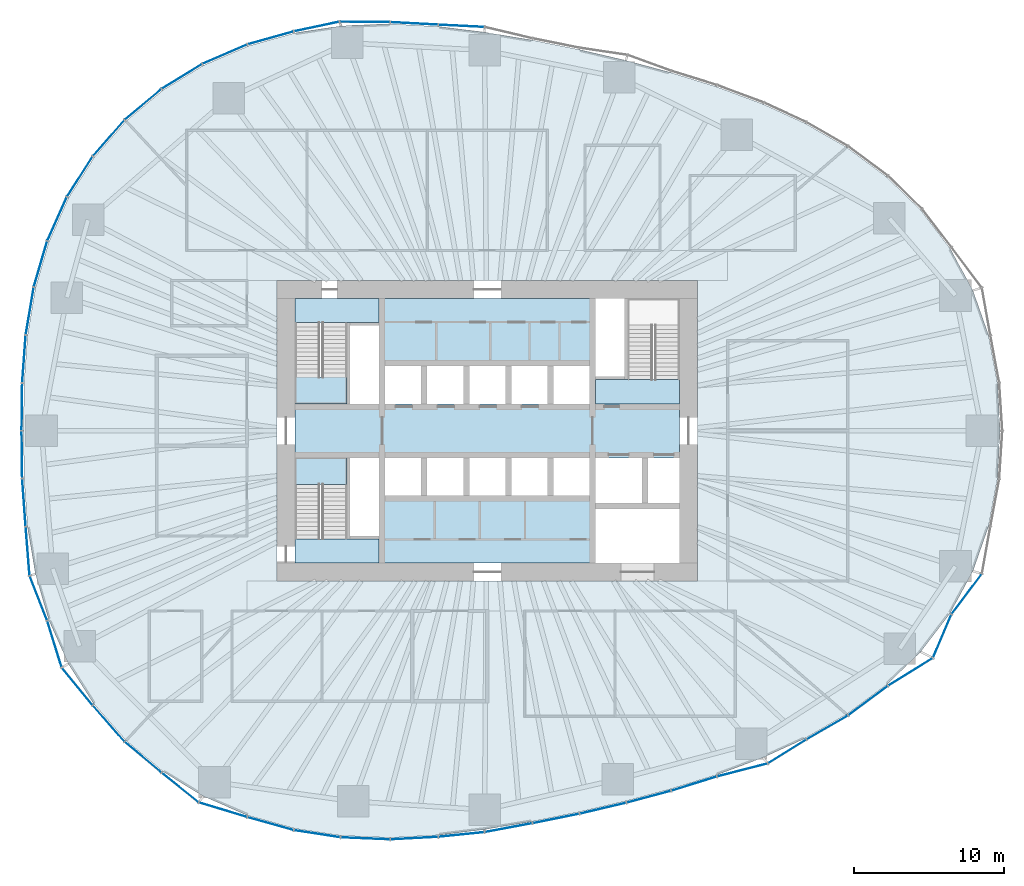
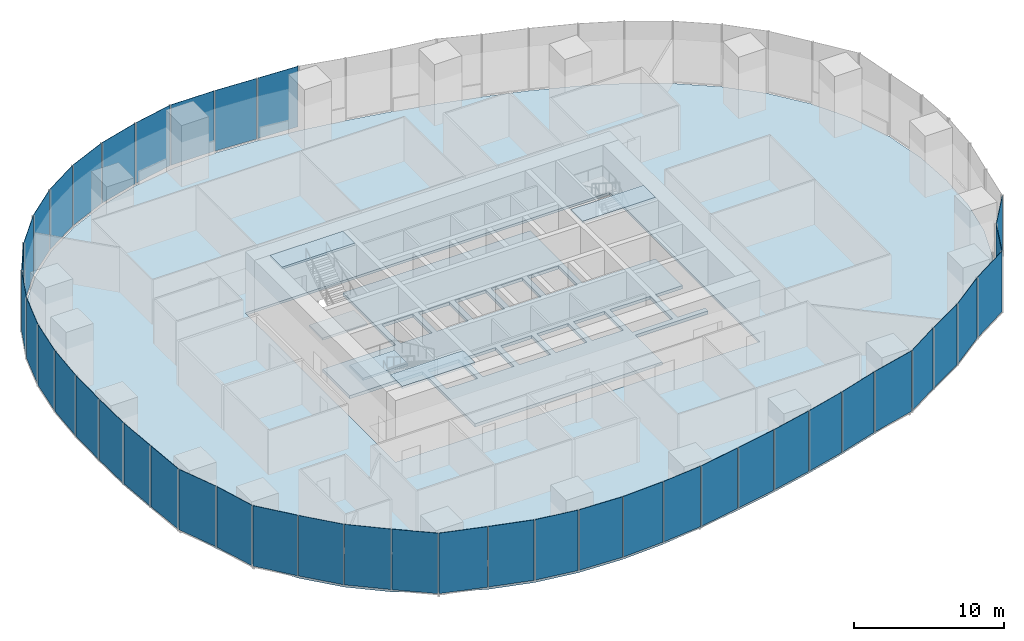
# One storey, part 8 of 20: 42 plates, 7 slabs, 17 elements without a shape of their own.
"""IFC4 building model written with IfcOpenShell, lengths in metres."""

import ifcopenshell
import ifcopenshell.guid

model = None  # the IFC model being written
_history = None  # IfcOwnerHistory: only IFC2X3 demands one
_inside = {}  # id of a spatial element -> (the spatial element, [elements in it])
_under = {}  # id of a project, library or spatial element -> (it, [spatial elements below it])
_declared = {}  # id of a project -> (the project, [libraries it declares])
_typed = {}  # id of a type object -> (the type object, [elements of that type])
_made_of = {}  # id of a material, layer set ... -> (it, [elements and type objects made of it])


def new_model(schema):
    """Start an empty IFC model of exactly this schema.

    Asked for "IFC4X3", IfcOpenShell would pick the latest addendum, in which some entities
    have other attributes; the version numbers below select the first issue.
    IFC2X3 requires an IfcOwnerHistory on every rooted entity: one is made here for all.
    """
    global model, _history
    if schema == "IFC4X3":
        model = ifcopenshell.file(schema_version=(4, 3, 0, 0))
    else:
        model = ifcopenshell.file(schema=schema)
    _inside.clear()
    _under.clear()
    _declared.clear()
    _typed.clear()
    _made_of.clear()
    _history = None
    if model.schema == "IFC2X3":
        org = make("IfcOrganization", Name="unknown")
        user = make(
            "IfcPersonAndOrganization",
            ThePerson=make("IfcPerson", FamilyName="unknown"),
            TheOrganization=org,
        )
        app = make(
            "IfcApplication",
            ApplicationDeveloper=org,
            Version="unknown",
            ApplicationFullName="unknown",
            ApplicationIdentifier="unknown",
        )
        _history = make(
            "IfcOwnerHistory",
            OwningUser=user,
            OwningApplication=app,
            ChangeAction="ADDED",
            CreationDate=0,
        )
    return model


def make(cls, **values):
    """One entity of the class cls with the attributes given. An attribute that is None is left unset."""
    return model.create_entity(
        cls, **{name: value for name, value in values.items() if value is not None}
    )


def rooted(cls, **values):
    """An entity with a GlobalId (a new one), such as an element, a storey or a relation."""
    return make(cls, GlobalId=ifcopenshell.guid.new(), OwnerHistory=_history, **values)


def si_unit(unit_type, name, prefix=None):
    """IfcSIUnit, for example si_unit("LENGTHUNIT", "METRE", prefix="MILLI")."""
    return make("IfcSIUnit", UnitType=unit_type, Prefix=prefix, Name=name)


def assignment(units):
    """IfcUnitAssignment: the units of a project."""
    return None if units is None else make("IfcUnitAssignment", Units=units)


def point(xyz):
    """IfcCartesianPoint."""
    return None if xyz is None else make("IfcCartesianPoint", Coordinates=xyz)


def direction(xyz):
    """IfcDirection."""
    return None if xyz is None else make("IfcDirection", DirectionRatios=xyz)


def frame(location, z_axis=None, x_axis=None):
    """IfcAxis2Placement3D, a coordinate frame: its origin and axes. An axis left out is left unset."""
    return make(
        "IfcAxis2Placement3D",
        Location=point(location),
        Axis=direction(z_axis),
        RefDirection=direction(x_axis),
    )


def frame_2d(location, x_axis=None):
    """IfcAxis2Placement2D, a coordinate frame in the plane: its origin and x axis."""
    return make(
        "IfcAxis2Placement2D", Location=point(location), RefDirection=direction(x_axis)
    )


def origin():
    """The frame at (0, 0, 0) with its axes left unset."""
    return frame((0.0, 0.0, 0.0))


def origin_2d():
    """The frame at (0, 0) in the plane with its x axis left unset."""
    return frame_2d((0.0, 0.0))


def place(relative_to, where):
    """IfcLocalPlacement: puts the frame where relative to a parent placement (None: the world)."""
    return make(
        "IfcLocalPlacement", PlacementRelTo=relative_to, RelativePlacement=where
    )


def context(
    kind, dimensions, precision=None, world=None, true_north=None, identifier=None
):
    """IfcGeometricRepresentationContext, for example the 3D "Model" context."""
    return make(
        "IfcGeometricRepresentationContext",
        ContextIdentifier=identifier,
        ContextType=kind,
        CoordinateSpaceDimension=dimensions,
        Precision=precision,
        WorldCoordinateSystem=world,
        TrueNorth=true_north,
    )


def subcontext(parent, identifier, kind, view, scale=None):
    """IfcGeometricRepresentationSubContext, for example "Body" below "Model"."""
    return make(
        "IfcGeometricRepresentationSubContext",
        ContextIdentifier=identifier,
        ContextType=kind,
        ParentContext=parent,
        TargetScale=scale,
        TargetView=view,
    )


def project(units=None, contexts=None):
    """IfcProject with its units and contexts."""
    return rooted(
        "IfcProject",
        Name="project",
        RepresentationContexts=contexts,
        UnitsInContext=assignment(units),
    )


def spatial(cls, under=None, at=None, **own):
    """A site, building, storey or space (cls), placed at a placement, below another one or the project."""
    s = rooted(cls, ObjectPlacement=at, **own)
    if under is not None:
        _under.setdefault(under.id(), (under, []))[1].append(s)
    return s


def polyline(points):
    """IfcPolyline through the points."""
    return make("IfcPolyline", Points=[point(p) for p in points])


def profile(cls, at=None, kind="AREA", **sizes):
    """A parametric profile (cls). Its sizes go by their IFC names, for example OverallWidth=200.0."""
    return make(cls, ProfileType=kind, Position=at, **sizes)


def rectangle(**sizes):
    """IfcRectangleProfileDef."""
    return profile("IfcRectangleProfileDef", **sizes)


def outline(outer, holes=None, kind="AREA"):
    """IfcArbitraryClosedProfileDef: a profile drawn as a closed curve; with holes, ...WithVoids."""
    if holes is None:
        return make("IfcArbitraryClosedProfileDef", ProfileType=kind, OuterCurve=outer)
    return make(
        "IfcArbitraryProfileDefWithVoids",
        ProfileType=kind,
        OuterCurve=outer,
        InnerCurves=holes,
    )


def extrude(swept, where, along, depth):
    """IfcExtrudedAreaSolid: the profile swept, set in the frame where, extruded along a direction by depth."""
    return make(
        "IfcExtrudedAreaSolid",
        SweptArea=swept,
        Position=where,
        ExtrudedDirection=direction(along),
        Depth=depth,
    )


def shape(context_of_items, identifier, shape_type, items):
    """IfcShapeRepresentation: the items that make up one representation, for example the "Body"."""
    return make(
        "IfcShapeRepresentation",
        ContextOfItems=context_of_items,
        RepresentationIdentifier=identifier,
        RepresentationType=shape_type,
        Items=items,
    )


def material(Name=None, Category=None):
    """IfcMaterial."""
    return make("IfcMaterial", Name=Name, Category=Category)


def layer(
    of_material, thickness, ventilated=None, Name=None, Category=None, Priority=None
):
    """IfcMaterialLayer: one layer of a wall or slab, of a material (None: an air gap)."""
    return make(
        "IfcMaterialLayer",
        Material=of_material,
        LayerThickness=thickness,
        IsVentilated=ventilated,
        Name=Name,
        Category=Category,
        Priority=Priority,
    )


def layer_set(layers, Name=None):
    """IfcMaterialLayerSet."""
    return make("IfcMaterialLayerSet", MaterialLayers=layers, LayerSetName=Name)


def made_of(thing, what):
    """Note that an element or type object is made of a material, layer set ...; save() writes the relation."""
    if what is not None:
        _made_of.setdefault(what.id(), (what, []))[1].append(thing)
    return thing


def type_object(cls, material=None, **own):
    """A type object (cls), such as IfcWallType, which elements share."""
    return made_of(rooted(cls, **own), material)


def element(
    cls,
    number,
    at=None,
    inside=None,
    cuts=None,
    type_object=None,
    material=None,
    context=None,
    identifier="Body",
    shape_type=None,
    held_by="IfcProductDefinitionShape",
    body=None,
    shapes=None,
    **own,
):
    """One element of the class cls, such as IfcWall. Its Tag is "e" and its number.

    at: its placement. inside: the storey or other place that contains it. cuts: it is an
    opening in that element (IfcRelVoidsElement). A single representation is given by context,
    identifier, shape_type and body (its items); several are given by shapes. held_by: the class
    of the entity that holds the representations. save() writes the other relations.
    """
    e = rooted(cls, Tag="e%d" % number, ObjectPlacement=at, **own)
    if body is not None:
        shapes = [shape(context, identifier, shape_type, body)]
    if shapes is not None:
        e.Representation = make(held_by, Representations=shapes)
    if inside is not None:
        _inside.setdefault(inside.id(), (inside, []))[1].append(e)
    if cuts is not None:
        rooted(
            "IfcRelVoidsElement", RelatingBuildingElement=cuts, RelatedOpeningElement=e
        )
    if type_object is not None:
        _typed.setdefault(type_object.id(), (type_object, []))[1].append(e)
    return made_of(e, material)


def aggregate(whole, parts):
    """IfcRelAggregates: a whole, such as a stair, and the parts it consists of."""
    return rooted("IfcRelAggregates", RelatingObject=whole, RelatedObjects=parts)


def save(model, path):
    """Write the relations noted so far, then the file.

    IfcRelAggregates (storeys below a building ...), IfcRelContainedInSpatialStructure (elements
    in a storey), IfcRelDefinesByType, IfcRelAssociatesMaterial and IfcRelDeclares: one each for
    every whole, place, type object, material and project.
    """
    for whole, parts in _under.values():
        aggregate(whole, parts)
    for where, things in _inside.values():
        rooted(
            "IfcRelContainedInSpatialStructure",
            RelatedElements=things,
            RelatingStructure=where,
        )
    for kind, things in _typed.values():
        rooted("IfcRelDefinesByType", RelatedObjects=things, RelatingType=kind)
    for what, things in _made_of.values():
        rooted("IfcRelAssociatesMaterial", RelatedObjects=things, RelatingMaterial=what)
    for by, libraries in _declared.values():
        rooted("IfcRelDeclares", RelatingContext=by, RelatedDefinitions=libraries)
    model.write(path)


model = new_model("IFC4")

# Units and contexts
model_context = context("Model", 3, precision=1e-05, world=origin(), true_north=direction((0.0, 1.0)))
body_context = subcontext(model_context, "Body", "Model", "MODEL_VIEW")
ifc_project = project(units=[si_unit("LENGTHUNIT", "METRE"), si_unit("AREAUNIT", "SQUARE_METRE"), si_unit("VOLUMEUNIT", "CUBIC_METRE"), si_unit("PLANEANGLEUNIT", "RADIAN"), si_unit("MASSUNIT", "GRAM", prefix="KILO")], contexts=[model_context])

# Site, building, storey
site_placement = place(None, origin())
site = spatial("IfcSite", under=ifc_project, at=site_placement, CompositionType="ELEMENT")
building_placement = place(site_placement, origin())
building = spatial("IfcBuilding", under=site, at=building_placement, Name="Ghaith Harvest Tower", CompositionType="ELEMENT")
storey_placement = place(building_placement, frame((0.0, 0.0, 35.0)))
storey = spatial("IfcBuildingStorey", under=building, at=storey_placement, Name="L07", CompositionType="ELEMENT", Elevation=35.0)

# Curtain wall, plates
ifc_material_1 = material(Name="Black anodised aluminium and fritted glass", Category="aluminium")
curtain_wall_type = type_object("IfcCurtainWallType", Name="CW-F CURTAIN WALL", PredefinedType="NOTDEFINED", material=ifc_material_1)
curtain_wall_1_placement = place(storey_placement, origin())
curtain_wall_1 = element("IfcCurtainWall", 1, at=curtain_wall_1_placement, inside=storey, type_object=curtain_wall_type, Name="Curtain wall CW-F bay 06 L07", PredefinedType="NOTDEFINED")
ifc_material_2 = material(Name="Glass, high-transmission fritted double glazed unit", Category="glass")
ifc_layer_1 = layer(ifc_material_2, 0.028076171875)
ifc_layer_set_1 = layer_set([ifc_layer_1], Name="CW-F VISION PANEL")
plate_type = type_object("IfcPlateType", Name="CW-F VISION PANEL", PredefinedType="CURTAIN_PANEL", material=ifc_layer_set_1)
plate_1_placement = place(storey_placement, frame((-1.722900390625, 26.953369140625, 0.080078125), z_axis=(0.0, 0.0, 1.0), x_axis=(-0.998771443485, 0.049554048048, 0.0)))
plate_1 = element("IfcPlate", 2, at=plate_1_placement, type_object=plate_type, Name="CW-F panel 1 bay 06 L07", PredefinedType="CURTAIN_PANEL", context=body_context, shape_type="SweptSolid", body=[
    extrude(rectangle(XDim=3.001708984375, YDim=0.028076171875, at=origin_2d()), origin(), (0.0, 0.0, 1.0), 4.919921875),
])
plate_2_placement = place(storey_placement, frame((-4.863525390625, 27.11572265625, 0.080078125), z_axis=(0.0, 0.0, 1.0), x_axis=(-0.99856250263, 0.053599704667, 0.0)))
plate_2 = element("IfcPlate", 3, at=plate_2_placement, type_object=plate_type, Name="CW-F panel 2 bay 06 L07", PredefinedType="CURTAIN_PANEL", context=body_context, shape_type="SweptSolid", body=[
    extrude(rectangle(XDim=3.1279296875, YDim=0.028076171875, at=origin_2d()), origin(), (0.0, 0.0, 1.0), 4.919921875),
])
plate_3_placement = place(storey_placement, frame((-8.150390625, 27.217041015625, 0.080078125), z_axis=(0.0, 0.0, 1.0), x_axis=(-0.999959609481, 0.008987736446, 0.0)))
plate_3 = element("IfcPlate", 4, at=plate_3_placement, type_object=plate_type, Name="CW-F panel 3 bay 06 L07", PredefinedType="CURTAIN_PANEL", context=body_context, shape_type="SweptSolid", body=[
    extrude(rectangle(XDim=3.29052734375, YDim=0.028076171875, at=origin_2d()), origin(), (0.0, 0.0, 1.0), 4.919921875),
])
aggregate(curtain_wall_1, [plate_1, plate_2, plate_3])

curtain_wall_2_placement = place(storey_placement, origin())
curtain_wall_2 = element("IfcCurtainWall", 5, at=curtain_wall_2_placement, inside=storey, type_object=curtain_wall_type, Name="Curtain wall CW-F bay 07 L07", PredefinedType="NOTDEFINED")
plate_4_placement = place(storey_placement, frame((-11.358154296875, 26.908447265625, 0.080078125), z_axis=(0.0, 0.0, 1.0), x_axis=(-0.978149320779, -0.207903598476, 0.0)))
plate_4 = element("IfcPlate", 6, at=plate_4_placement, type_object=plate_type, Name="CW-F panel 1 bay 07 L07", PredefinedType="CURTAIN_PANEL", context=body_context, shape_type="SweptSolid", body=[
    extrude(rectangle(XDim=3.032958984375, YDim=0.028076171875, at=origin_2d()), origin(), (0.0, 0.0, 1.0), 4.919921875),
])
plate_5_placement = place(storey_placement, frame((-14.42578125, 26.150634765625, 0.080078125), z_axis=(0.0, 0.0, 1.0), x_axis=(-0.96272968243, -0.270465448012, 0.0)))
plate_5 = element("IfcPlate", 7, at=plate_5_placement, type_object=plate_type, Name="CW-F panel 2 bay 07 L07", PredefinedType="CURTAIN_PANEL", context=body_context, shape_type="SweptSolid", body=[
    extrude(rectangle(XDim=3.13037109375, YDim=0.028076171875, at=origin_2d()), origin(), (0.0, 0.0, 1.0), 4.919921875),
])
plate_6_placement = place(storey_placement, frame((-17.46923828125, 25.0693359375, 0.080078125), z_axis=(0.0, 0.0, 1.0), x_axis=(-0.918002845228, -0.396573796605, 0.0)))
plate_6 = element("IfcPlate", 8, at=plate_6_placement, type_object=plate_type, Name="CW-F panel 3 bay 07 L07", PredefinedType="CURTAIN_PANEL", context=body_context, shape_type="SweptSolid", body=[
    extrude(rectangle(XDim=3.18359375, YDim=0.028076171875, at=origin_2d()), origin(), (0.0, 0.0, 1.0), 4.919921875),
])
aggregate(curtain_wall_2, [plate_4, plate_5, plate_6])

curtain_wall_3_placement = place(storey_placement, origin())
curtain_wall_3 = element("IfcCurtainWall", 9, at=curtain_wall_3_placement, inside=storey, type_object=curtain_wall_type, Name="Curtain wall CW-F bay 08 L07", PredefinedType="NOTDEFINED")
plate_7_placement = place(storey_placement, frame((-20.324462890625, 23.590087890625, 0.080078125), z_axis=(0.0, 0.0, 1.0), x_axis=(-0.852527741552, -0.522681977769, 0.0)))
plate_7 = element("IfcPlate", 10, at=plate_7_placement, type_object=plate_type, Name="CW-F panel 1 bay 08 L07", PredefinedType="CURTAIN_PANEL", context=body_context, shape_type="SweptSolid", body=[
    extrude(rectangle(XDim=3.10400390625, YDim=0.028076171875, at=origin_2d()), origin(), (0.0, 0.0, 1.0), 4.919921875),
])
plate_8_placement = place(storey_placement, frame((-22.91064453125, 21.727294921875, 0.080078125), z_axis=(0.0, 0.0, 1.0), x_axis=(-0.766155215147, -0.642655573619, 0.0)))
plate_8 = element("IfcPlate", 11, at=plate_8_placement, type_object=plate_type, Name="CW-F panel 2 bay 08 L07", PredefinedType="CURTAIN_PANEL", context=body_context, shape_type="SweptSolid", body=[
    extrude(rectangle(XDim=3.1279296875, YDim=0.028076171875, at=origin_2d()), origin(), (0.0, 0.0, 1.0), 4.919921875),
])
plate_9_placement = place(storey_placement, frame((-25.201171875, 19.4853515625, 0.080078125), z_axis=(0.0, 0.0, 1.0), x_axis=(-0.659215937547, -0.751953687194, 0.0)))
plate_9 = element("IfcPlate", 12, at=plate_9_placement, type_object=plate_type, Name="CW-F panel 3 bay 08 L07", PredefinedType="CURTAIN_PANEL", context=body_context, shape_type="SweptSolid", body=[
    extrude(rectangle(XDim=3.1416015625, YDim=0.028076171875, at=origin_2d()), origin(), (0.0, 0.0, 1.0), 4.919921875),
])
aggregate(curtain_wall_3, [plate_7, plate_8, plate_9])

curtain_wall_4_placement = place(storey_placement, origin())
curtain_wall_4 = element("IfcCurtainWall", 13, at=curtain_wall_4_placement, inside=storey, type_object=curtain_wall_type, Name="Curtain wall CW-F bay 09 L07", PredefinedType="NOTDEFINED")
plate_10_placement = place(storey_placement, frame((-27.124755859375, 16.919677734375, 0.080078125), z_axis=(0.0, 0.0, 1.0), x_axis=(-0.536779195227, -0.843722759899, 0.0)))
plate_10 = element("IfcPlate", 14, at=plate_10_placement, type_object=plate_type, Name="CW-F panel 1 bay 09 L07", PredefinedType="CURTAIN_PANEL", context=body_context, shape_type="SweptSolid", body=[
    extrude(rectangle(XDim=3.13037109375, YDim=0.028076171875, at=origin_2d()), origin(), (0.0, 0.0, 1.0), 4.919921875),
])
plate_11_placement = place(storey_placement, frame((-28.639404296875, 14.100341796875, 0.080078125), z_axis=(0.0, 0.0, 1.0), x_axis=(-0.407134417018, -0.913368253488, 0.0)))
plate_11 = element("IfcPlate", 15, at=plate_11_placement, type_object=plate_type, Name="CW-F panel 2 bay 09 L07", PredefinedType="CURTAIN_PANEL", context=body_context, shape_type="SweptSolid", body=[
    extrude(rectangle(XDim=3.1279296875, YDim=0.028076171875, at=origin_2d()), origin(), (0.0, 0.0, 1.0), 4.919921875),
])
plate_12_placement = place(storey_placement, frame((-29.740478515625, 11.101318359375, 0.080078125), z_axis=(0.0, 0.0, 1.0), x_axis=(-0.280296918708, -0.959913348882, 0.0)))
plate_12 = element("IfcPlate", 16, at=plate_12_placement, type_object=plate_type, Name="CW-F panel 3 bay 09 L07", PredefinedType="CURTAIN_PANEL", context=body_context, shape_type="SweptSolid", body=[
    extrude(rectangle(XDim=3.1162109375, YDim=0.028076171875, at=origin_2d()), origin(), (0.0, 0.0, 1.0), 4.919921875),
])
aggregate(curtain_wall_4, [plate_10, plate_11, plate_12])

curtain_wall_5_placement = place(storey_placement, origin())
curtain_wall_5 = element("IfcCurtainWall", 17, at=curtain_wall_5_placement, inside=storey, type_object=curtain_wall_type, Name="Curtain wall CW-F bay 10 L07", PredefinedType="NOTDEFINED")
plate_13_placement = place(storey_placement, frame((-30.456298828125, 7.971435546875, 0.080078125), z_axis=(0.0, 0.0, 1.0), x_axis=(-0.165581316368, -0.986196140567, 0.0)))
plate_13 = element("IfcPlate", 18, at=plate_13_placement, type_object=plate_type, Name="CW-F panel 1 bay 10 L07", PredefinedType="CURTAIN_PANEL", context=body_context, shape_type="SweptSolid", body=[
    extrude(rectangle(XDim=3.156494140625, YDim=0.028076171875, at=origin_2d()), origin(), (0.0, 0.0, 1.0), 4.919921875),
])
plate_14_placement = place(storey_placement, frame((-30.84033203125, 4.77685546875, 0.080078125), z_axis=(0.0, 0.0, 1.0), x_axis=(-0.072420546123, -0.997374184797, 0.0)))
plate_14 = element("IfcPlate", 19, at=plate_14_placement, type_object=plate_type, Name="CW-F panel 2 bay 10 L07", PredefinedType="CURTAIN_PANEL", context=body_context, shape_type="SweptSolid", body=[
    extrude(rectangle(XDim=3.1259765625, YDim=0.028076171875, at=origin_2d()), origin(), (0.0, 0.0, 1.0), 4.919921875),
])
plate_15_placement = place(storey_placement, frame((-30.975830078125, 1.589111328125, 0.080078125), z_axis=(0.0, 0.0, 1.0), x_axis=(-0.012133206476, -0.999926389941, 0.0)))
plate_15 = element("IfcPlate", 20, at=plate_15_placement, type_object=plate_type, Name="CW-F panel 3 bay 10 L07", PredefinedType="CURTAIN_PANEL", context=body_context, shape_type="SweptSolid", body=[
    extrude(rectangle(XDim=3.09814453125, YDim=0.028076171875, at=origin_2d()), origin(), (0.0, 0.0, 1.0), 4.919921875),
])
aggregate(curtain_wall_5, [plate_13, plate_14, plate_15])

curtain_wall_6_placement = place(storey_placement, origin())
curtain_wall_6 = element("IfcCurtainWall", 21, at=curtain_wall_6_placement, inside=storey, type_object=curtain_wall_type, Name="Curtain wall CW-F bay 11 L07", PredefinedType="NOTDEFINED")
plate_16_placement = place(storey_placement, frame((-30.975830078125, -1.589111328125, 0.080078125), z_axis=(0.0, 0.0, 1.0), x_axis=(0.012133206773, -0.999926389937, 0.0)))
plate_16 = element("IfcPlate", 22, at=plate_16_placement, type_object=plate_type, Name="CW-F panel 1 bay 11 L07", PredefinedType="CURTAIN_PANEL", context=body_context, shape_type="SweptSolid", body=[
    extrude(rectangle(XDim=3.09814453125, YDim=0.028076171875, at=origin_2d()), origin(), (0.0, 0.0, 1.0), 4.919921875),
])
plate_17_placement = place(storey_placement, frame((-30.84033203125, -4.77685546875, 0.080078125), z_axis=(0.0, 0.0, 1.0), x_axis=(0.072420546349, -0.99737418478, 0.0)))
plate_17 = element("IfcPlate", 23, at=plate_17_placement, type_object=plate_type, Name="CW-F panel 2 bay 11 L07", PredefinedType="CURTAIN_PANEL", context=body_context, shape_type="SweptSolid", body=[
    extrude(rectangle(XDim=3.1259765625, YDim=0.028076171875, at=origin_2d()), origin(), (0.0, 0.0, 1.0), 4.919921875),
])
plate_18_placement = place(storey_placement, frame((-30.594482421875, -8.01513671875, 0.080078125), z_axis=(0.0, 0.0, 1.0), x_axis=(0.078867084181, -0.996885140341, 0.0)))
plate_18 = element("IfcPlate", 24, at=plate_18_placement, type_object=plate_type, Name="CW-F panel 3 bay 11 L07", PredefinedType="CURTAIN_PANEL", context=body_context, shape_type="SweptSolid", body=[
    extrude(rectangle(XDim=3.209716796875, YDim=0.028076171875, at=origin_2d()), origin(), (0.0, 0.0, 1.0), 4.919921875),
])
aggregate(curtain_wall_6, [plate_16, plate_17, plate_18])

curtain_wall_7_placement = place(storey_placement, origin())
curtain_wall_7 = element("IfcCurtainWall", 25, at=curtain_wall_7_placement, inside=storey, type_object=curtain_wall_type, Name="Curtain wall CW-F bay 12 L07", PredefinedType="NOTDEFINED")
plate_19_placement = place(storey_placement, frame((-29.878662109375, -11.14501953125, 0.080078125), z_axis=(0.0, 0.0, 1.0), x_axis=(0.366039738151, -0.930599220983, 0.0)))
plate_19 = element("IfcPlate", 26, at=plate_19_placement, type_object=plate_type, Name="CW-F panel 1 bay 12 L07", PredefinedType="CURTAIN_PANEL", context=body_context, shape_type="SweptSolid", body=[
    extrude(rectangle(XDim=3.122802734375, YDim=0.028076171875, at=origin_2d()), origin(), (0.0, 0.0, 1.0), 4.919921875),
])
plate_20_placement = place(storey_placement, frame((-28.809814453125, -14.195068359375, 0.080078125), z_axis=(0.0, 0.0, 1.0), x_axis=(0.295583054454, -0.95531704576, 0.0)))
plate_20 = element("IfcPlate", 27, at=plate_20_placement, type_object=plate_type, Name="CW-F panel 2 bay 12 L07", PredefinedType="CURTAIN_PANEL", context=body_context, shape_type="SweptSolid", body=[
    extrude(rectangle(XDim=3.185546875, YDim=0.028076171875, at=origin_2d()), origin(), (0.0, 0.0, 1.0), 4.919921875),
])
plate_21_placement = place(storey_placement, frame((-27.295166015625, -17.014404296875, 0.080078125), z_axis=(0.0, 0.0, 1.0), x_axis=(0.633789860881, -0.773505276158, 0.0)))
plate_21 = element("IfcPlate", 28, at=plate_21_placement, type_object=plate_type, Name="CW-F panel 3 bay 12 L07", PredefinedType="CURTAIN_PANEL", context=body_context, shape_type="SweptSolid", body=[
    extrude(rectangle(XDim=3.1767578125, YDim=0.028076171875, at=origin_2d()), origin(), (0.0, 0.0, 1.0), 4.919921875),
])
aggregate(curtain_wall_7, [plate_19, plate_20, plate_21])

curtain_wall_8_placement = place(storey_placement, origin())
curtain_wall_8 = element("IfcCurtainWall", 29, at=curtain_wall_8_placement, inside=storey, type_object=curtain_wall_type, Name="Curtain wall CW-F bay 13 L07", PredefinedType="NOTDEFINED")
plate_22_placement = place(storey_placement, frame((-25.201171875, -19.4853515625, 0.080078125), z_axis=(0.0, 0.0, 1.0), x_axis=(0.659215937337, -0.751953687378, 0.0)))
plate_22 = element("IfcPlate", 30, at=plate_22_placement, type_object=plate_type, Name="CW-F panel 1 bay 13 L07", PredefinedType="CURTAIN_PANEL", context=body_context, shape_type="SweptSolid", body=[
    extrude(rectangle(XDim=3.1416015625, YDim=0.028076171875, at=origin_2d()), origin(), (0.0, 0.0, 1.0), 4.919921875),
])
plate_23_placement = place(storey_placement, frame((-22.91064453125, -21.727294921875, 0.080078125), z_axis=(0.0, 0.0, 1.0), x_axis=(0.76615521545, -0.642655573258, 0.0)))
plate_23 = element("IfcPlate", 31, at=plate_23_placement, type_object=plate_type, Name="CW-F panel 2 bay 13 L07", PredefinedType="CURTAIN_PANEL", context=body_context, shape_type="SweptSolid", body=[
    extrude(rectangle(XDim=3.1279296875, YDim=0.028076171875, at=origin_2d()), origin(), (0.0, 0.0, 1.0), 4.919921875),
])
plate_24_placement = place(storey_placement, frame((-20.447265625, -23.748046875, 0.080078125), z_axis=(0.0, 0.0, 1.0), x_axis=(0.780122054158, -0.625627349639, 0.0)))
plate_24 = element("IfcPlate", 32, at=plate_24_placement, type_object=plate_type, Name="CW-F panel 3 bay 13 L07", PredefinedType="CURTAIN_PANEL", context=body_context, shape_type="SweptSolid", body=[
    extrude(rectangle(XDim=3.085205078125, YDim=0.028076171875, at=origin_2d()), origin(), (0.0, 0.0, 1.0), 4.919921875),
])
aggregate(curtain_wall_8, [plate_22, plate_23, plate_24])

curtain_wall_9_placement = place(storey_placement, origin())
curtain_wall_9 = element("IfcCurtainWall", 33, at=curtain_wall_9_placement, inside=storey, type_object=curtain_wall_type, Name="Curtain wall CW-F bay 14 L07", PredefinedType="NOTDEFINED")
plate_25_placement = place(storey_placement, frame((-17.591796875, -25.227294921875, 0.080078125), z_axis=(0.0, 0.0, 1.0), x_axis=(0.95734234218, -0.288956121011, 0.0)))
plate_25 = element("IfcPlate", 34, at=plate_25_placement, type_object=plate_type, Name="CW-F panel 1 bay 14 L07", PredefinedType="CURTAIN_PANEL", context=body_context, shape_type="SweptSolid", body=[
    extrude(rectangle(XDim=3.3056640625, YDim=0.028076171875, at=origin_2d()), origin(), (0.0, 0.0, 1.0), 4.919921875),
])
plate_26_placement = place(storey_placement, frame((-14.42578125, -26.150634765625, 0.080078125), z_axis=(0.0, 0.0, 1.0), x_axis=(0.962729682704, -0.270465447038, 0.0)))
plate_26 = element("IfcPlate", 35, at=plate_26_placement, type_object=plate_type, Name="CW-F panel 2 bay 14 L07", PredefinedType="CURTAIN_PANEL", context=body_context, shape_type="SweptSolid", body=[
    extrude(rectangle(XDim=3.13037109375, YDim=0.028076171875, at=origin_2d()), origin(), (0.0, 0.0, 1.0), 4.919921875),
])
plate_27_placement = place(storey_placement, frame((-11.327392578125, -26.82373046875, 0.080078125), z_axis=(0.0, 0.0, 1.0), x_axis=(0.98836987371, -0.152069039392, 0.0)))
plate_27 = element("IfcPlate", 36, at=plate_27_placement, type_object=plate_type, Name="CW-F panel 3 bay 14 L07", PredefinedType="CURTAIN_PANEL", context=body_context, shape_type="SweptSolid", body=[
    extrude(rectangle(XDim=3.0625, YDim=0.028076171875, at=origin_2d()), origin(), (0.0, 0.0, 1.0), 4.919921875),
])
aggregate(curtain_wall_9, [plate_25, plate_26, plate_27])

curtain_wall_10_placement = place(storey_placement, origin())
curtain_wall_10 = element("IfcCurtainWall", 37, at=curtain_wall_10_placement, inside=storey, type_object=curtain_wall_type, Name="Curtain wall CW-F bay 15 L07", PredefinedType="NOTDEFINED")
plate_28_placement = place(storey_placement, frame((-8.119873046875, -27.13232421875, 0.080078125), z_axis=(0.0, 0.0, 1.0), x_axis=(0.999118988518, -0.041967210794, 0.0)))
plate_28 = element("IfcPlate", 38, at=plate_28_placement, type_object=plate_type, Name="CW-F panel 1 bay 15 L07", PredefinedType="CURTAIN_PANEL", context=body_context, shape_type="SweptSolid", body=[
    extrude(rectangle(XDim=3.232177734375, YDim=0.028076171875, at=origin_2d()), origin(), (0.0, 0.0, 1.0), 4.919921875),
])
plate_29_placement = place(storey_placement, frame((-4.863525390625, -27.11572265625, 0.080078125), z_axis=(0.0, 0.0, 1.0), x_axis=(0.998562502616, 0.053599704928, 0.0)))
plate_29 = element("IfcPlate", 39, at=plate_29_placement, type_object=plate_type, Name="CW-F panel 2 bay 15 L07", PredefinedType="CURTAIN_PANEL", context=body_context, shape_type="SweptSolid", body=[
    extrude(rectangle(XDim=3.1279296875, YDim=0.028076171875, at=origin_2d()), origin(), (0.0, 0.0, 1.0), 4.919921875),
])
plate_30_placement = place(storey_placement, frame((-1.722412109375, -26.87353515625, 0.080078125), z_axis=(0.0, 0.0, 1.0), x_axis=(0.99488222177, 0.101041401443, 0.0)))
plate_30 = element("IfcPlate", 40, at=plate_30_placement, type_object=plate_type, Name="CW-F panel 3 bay 15 L07", PredefinedType="CURTAIN_PANEL", context=body_context, shape_type="SweptSolid", body=[
    extrude(rectangle(XDim=3.014892578125, YDim=0.028076171875, at=origin_2d()), origin(), (0.0, 0.0, 1.0), 4.919921875),
])
aggregate(curtain_wall_10, [plate_28, plate_29, plate_30])

curtain_wall_11_placement = place(storey_placement, origin())
curtain_wall_11 = element("IfcCurtainWall", 41, at=curtain_wall_11_placement, inside=storey, type_object=curtain_wall_type, Name="Curtain wall CW-F bay 16 L07", PredefinedType="NOTDEFINED")
plate_31_placement = place(storey_placement, frame((1.4130859375, -26.420166015625, 0.080078125), z_axis=(0.0, 0.0, 1.0), x_axis=(0.983131230266, 0.182901569365, 0.0)))
plate_31 = element("IfcPlate", 42, at=plate_31_placement, type_object=plate_type, Name="CW-F panel 1 bay 16 L07", PredefinedType="CURTAIN_PANEL", context=body_context, shape_type="SweptSolid", body=[
    extrude(rectangle(XDim=3.166748046875, YDim=0.028076171875, at=origin_2d()), origin(), (0.0, 0.0, 1.0), 4.919921875),
])
plate_32_placement = place(storey_placement, frame((4.5732421875, -25.809326171875, 0.080078125), z_axis=(0.0, 0.0, 1.0), x_axis=(0.98043234808, 0.196856320293, 0.0)))
plate_32 = element("IfcPlate", 43, at=plate_32_placement, type_object=plate_type, Name="CW-F panel 2 bay 16 L07", PredefinedType="CURTAIN_PANEL", context=body_context, shape_type="SweptSolid", body=[
    extrude(rectangle(XDim=3.1103515625, YDim=0.028076171875, at=origin_2d()), origin(), (0.0, 0.0, 1.0), 4.919921875),
])
plate_33_placement = place(storey_placement, frame((7.697265625, -25.129150390625, 0.080078125), z_axis=(0.0, 0.0, 1.0), x_axis=(0.973564757908, 0.228411169079, 0.0)))
plate_33 = element("IfcPlate", 44, at=plate_33_placement, type_object=plate_type, Name="CW-F panel 3 bay 16 L07", PredefinedType="CURTAIN_PANEL", context=body_context, shape_type="SweptSolid", body=[
    extrude(rectangle(XDim=3.125, YDim=0.028076171875, at=origin_2d()), origin(), (0.0, 0.0, 1.0), 4.919921875),
])
aggregate(curtain_wall_11, [plate_31, plate_32, plate_33])

curtain_wall_12_placement = place(storey_placement, origin())
curtain_wall_12 = element("IfcCurtainWall", 45, at=curtain_wall_12_placement, inside=storey, type_object=curtain_wall_type, Name="Curtain wall CW-F bay 17 L07", PredefinedType="NOTDEFINED")
plate_34_placement = place(storey_placement, frame((10.745849609375, -24.36376953125, 0.080078125), z_axis=(0.0, 0.0, 1.0), x_axis=(0.965848435029, 0.259107700681, 0.0)))
plate_34 = element("IfcPlate", 46, at=plate_34_placement, type_object=plate_type, Name="CW-F panel 1 bay 17 L07", PredefinedType="CURTAIN_PANEL", context=body_context, shape_type="SweptSolid", body=[
    extrude(rectangle(XDim=3.002197265625, YDim=0.028076171875, at=origin_2d()), origin(), (0.0, 0.0, 1.0), 4.919921875),
])
plate_35_placement = place(storey_placement, frame((13.760986328125, -23.490234375, 0.080078125), z_axis=(0.0, 0.0, 1.0), x_axis=(0.954988265447, 0.296643578827, 0.0)))
plate_35 = element("IfcPlate", 47, at=plate_35_placement, type_object=plate_type, Name="CW-F panel 2 bay 17 L07", PredefinedType="CURTAIN_PANEL", context=body_context, shape_type="SweptSolid", body=[
    extrude(rectangle(XDim=3.1171875, YDim=0.028076171875, at=origin_2d()), origin(), (0.0, 0.0, 1.0), 4.919921875),
])
plate_36_placement = place(storey_placement, frame((16.980712890625, -22.580322265625, 0.080078125), z_axis=(0.0, 0.0, 1.0), x_axis=(0.968451429434, 0.249202385275, 0.0)))
plate_36 = element("IfcPlate", 48, at=plate_36_placement, type_object=plate_type, Name="CW-F panel 3 bay 17 L07", PredefinedType="CURTAIN_PANEL", context=body_context, shape_type="SweptSolid", body=[
    extrude(rectangle(XDim=3.416748046875, YDim=0.028076171875, at=origin_2d()), origin(), (0.0, 0.0, 1.0), 4.919921875),
])
aggregate(curtain_wall_12, [plate_34, plate_35, plate_36])

curtain_wall_13_placement = place(storey_placement, origin())
curtain_wall_13 = element("IfcCurtainWall", 49, at=curtain_wall_13_placement, inside=storey, type_object=curtain_wall_type, Name="Curtain wall CW-F bay 18 L07", PredefinedType="NOTDEFINED")
plate_37_placement = place(storey_placement, frame((19.954833984375, -21.348876953125, 0.080078125), z_axis=(0.0, 0.0, 1.0), x_axis=(0.849360700005, 0.527812846837, 0.0)))
plate_37 = element("IfcPlate", 50, at=plate_37_placement, type_object=plate_type, Name="CW-F panel 1 bay 18 L07", PredefinedType="CURTAIN_PANEL", context=body_context, shape_type="SweptSolid", body=[
    extrude(rectangle(XDim=2.935791015625, YDim=0.028076171875, at=origin_2d()), origin(), (0.0, 0.0, 1.0), 4.919921875),
])
plate_38_placement = place(storey_placement, frame((22.626953125, -19.750244140625, 0.080078125), z_axis=(0.0, 0.0, 1.0), x_axis=(0.866159208454, 0.499768171866, 0.0)))
plate_38 = element("IfcPlate", 51, at=plate_38_placement, type_object=plate_type, Name="CW-F panel 2 bay 18 L07", PredefinedType="CURTAIN_PANEL", context=body_context, shape_type="SweptSolid", body=[
    extrude(rectangle(XDim=3.1328125, YDim=0.028076171875, at=origin_2d()), origin(), (0.0, 0.0, 1.0), 4.919921875),
])
plate_39_placement = place(storey_placement, frame((25.34619140625, -17.96142578125, 0.080078125), z_axis=(0.0, 0.0, 1.0), x_axis=(0.802866788713, 0.596158468515, 0.0)))
plate_39 = element("IfcPlate", 52, at=plate_39_placement, type_object=plate_type, Name="CW-F panel 3 bay 18 L07", PredefinedType="CURTAIN_PANEL", context=body_context, shape_type="SweptSolid", body=[
    extrude(rectangle(XDim=3.2275390625, YDim=0.028076171875, at=origin_2d()), origin(), (0.0, 0.0, 1.0), 4.919921875),
])
aggregate(curtain_wall_13, [plate_37, plate_38, plate_39])

curtain_wall_14_placement = place(storey_placement, origin())
curtain_wall_14 = element("IfcCurtainWall", 53, at=curtain_wall_14_placement, inside=storey, type_object=curtain_wall_type, Name="Curtain wall CW-F bay 19 L07", PredefinedType="NOTDEFINED")
plate_40_placement = place(storey_placement, frame((28.166748046875, -16.05126953125, 0.080078125), z_axis=(0.0, 0.0, 1.0), x_axis=(0.850245604669, 0.526386181184, 0.0)))
plate_40 = element("IfcPlate", 54, at=plate_40_placement, type_object=plate_type, Name="CW-F panel 1 bay 19 L07", PredefinedType="CURTAIN_PANEL", context=body_context, shape_type="SweptSolid", body=[
    extrude(rectangle(XDim=3.431884765625, YDim=0.028076171875, at=origin_2d()), origin(), (0.0, 0.0, 1.0), 4.919921875),
])
plate_41_placement = place(storey_placement, frame((30.2783203125, -13.6708984375, 0.080078125), z_axis=(0.0, 0.0, 1.0), x_axis=(0.390980294296, 0.920399049039, 0.0)))
plate_41 = element("IfcPlate", 55, at=plate_41_placement, type_object=plate_type, Name="CW-F panel 2 bay 19 L07", PredefinedType="CURTAIN_PANEL", context=body_context, shape_type="SweptSolid", body=[
    extrude(rectangle(XDim=3.083740234375, YDim=0.028076171875, at=origin_2d()), origin(), (0.0, 0.0, 1.0), 4.919921875),
])
plate_42_placement = place(storey_placement, frame((31.91015625, -10.865234375, 0.080078125), z_axis=(0.0, 0.0, 1.0), x_axis=(0.600454091429, 0.799659229976, 0.0)))
plate_42 = element("IfcPlate", 56, at=plate_42_placement, type_object=plate_type, Name="CW-F panel 3 bay 19 L07", PredefinedType="CURTAIN_PANEL", context=body_context, shape_type="SweptSolid", body=[
    extrude(rectangle(XDim=3.295654296875, YDim=0.028076171875, at=origin_2d()), origin(), (0.0, 0.0, 1.0), 4.919921875),
])
aggregate(curtain_wall_14, [plate_40, plate_41, plate_42])

# Slabs
ifc_material_3 = material(Name="Concrete C40/50", Category="concrete")
ifc_layer_2 = layer(ifc_material_3, 0.199951171875)
ifc_layer_set_2 = layer_set([ifc_layer_2], Name="FLOOR SLAB 200")
slab_type_1 = type_object("IfcSlabType", Name="FLOOR SLAB 200", PredefinedType="FLOOR", material=ifc_layer_set_2)
slab_1_placement = place(storey_placement, frame((0.0, 0.0, -0.199951171875)))
element("IfcSlab", 57, at=slab_1_placement, inside=storey, type_object=slab_type_1, Name="Floor slab L07", PredefinedType="FLOOR", context=body_context, shape_type="SweptSolid", body=[
    extrude(outline(polyline([(34.125, 0.0), (33.95849609375, 3.194091796875), (33.37158203125, 6.333984375), (32.318359375, 9.3408203125), (30.78515625, 12.1708984375), (28.840087890625, 14.708984375), (26.572509765625, 16.9111328125), (23.92431640625, 18.873046875), (21.149169921875, 20.469482421875), (18.34521484375, 21.7548828125), (15.22119140625, 22.916259765625), (12.1796875, 23.857666015625), (9.21533203125, 24.65087890625), (6.10888671875, 25.378662109375), (2.99560546875, 26.004150390625), (-0.181396484375, 26.527099609375), (-3.24755859375, 26.91064453125), (-6.4375, 27.0849609375), (-9.733642578125, 26.949951171875), (-12.828125, 26.476806640625), (-15.907958984375, 25.614501953125), (-18.8935546875, 24.32763671875), (-21.59912109375, 22.671142578125), (-24.04833984375, 20.618408203125), (-26.16455078125, 18.20556640625), (-27.881591796875, 15.507080078125), (-29.182373046875, 12.587890625), (-30.073974609375, 9.531005859375), (-30.606689453125, 6.35107421875), (-30.837158203125, 3.165771484375), (-30.875, 0.0), (-30.837158203125, -3.165771484375), (-30.606689453125, -6.35107421875), (-30.073974609375, -9.531005859375), (-29.182373046875, -12.587890625), (-27.881591796875, -15.507080078125), (-26.16455078125, -18.20556640625), (-24.04833984375, -20.618408203125), (-21.59912109375, -22.671142578125), (-18.8935546875, -24.32763671875), (-15.907958984375, -25.614501953125), (-12.828125, -26.476806640625), (-9.733642578125, -26.949951171875), (-6.4375, -27.0849609375), (-3.24755859375, -26.91064453125), (-0.181396484375, -26.527099609375), (2.99560546875, -26.004150390625), (6.10888671875, -25.378662109375), (9.21533203125, -24.65087890625), (12.1796875, -23.857666015625), (15.22119140625, -22.916259765625), (18.34521484375, -21.7548828125), (21.149169921875, -20.469482421875), (23.92431640625, -18.873046875), (26.572509765625, -16.9111328125), (28.840087890625, -14.708984375), (30.78515625, -12.1708984375), (32.318359375, -9.3408203125), (33.37158203125, -6.333984375), (33.95849609375, -3.194091796875), (34.125, 0.0)]), holes=[polyline([(-14.0, -10.0), (14.0, -10.0), (14.0, 10.0), (-14.0, 10.0), (-14.0, -10.0)])]), origin(), (0.0, 0.0, 1.0), 0.199951171875),
])
ifc_material_4 = material(Name="Concrete C40/50", Category="concrete")
ifc_layer_3 = layer(ifc_material_4, 0.25)
ifc_layer_set_3 = layer_set([ifc_layer_3], Name="FLOOR SLAB 250")
slab_type_2 = type_object("IfcSlabType", Name="FLOOR SLAB 250", PredefinedType="FLOOR", material=ifc_layer_set_3)
slab_2_placement = place(storey_placement, frame((0.0, 0.0, -0.25)))
element("IfcSlab", 58, at=slab_2_placement, inside=storey, type_object=slab_type_2, Name="Core slab L07", PredefinedType="FLOOR", context=body_context, shape_type="SweptSolid", body=[
    extrude(outline(polyline([(-12.800048828125, 1.800048828125), (-7.199951171875, 1.800048828125), (-7.199951171875, 8.800048828125), (7.199951171875, 8.800048828125), (7.199951171875, 1.800048828125), (12.800048828125, 1.800048828125), (12.800048828125, -1.800048828125), (10.699951171875, -1.800048828125), (10.699951171875, -4.800048828125), (12.800048828125, -4.800048828125), (12.800048828125, -5.199951171875), (7.199951171875, -5.199951171875), (7.199951171875, -8.800048828125), (-7.199951171875, -8.800048828125), (-7.199951171875, -1.800048828125), (-12.800048828125, -1.800048828125), (-12.800048828125, 1.800048828125)]), holes=[polyline([(-4.39990234375, -4.300048828125), (-4.39990234375, -1.800048828125), (-6.800048828125, -1.800048828125), (-6.800048828125, -4.300048828125), (-4.39990234375, -4.300048828125)]), polyline([(-1.60009765625, -4.300048828125), (-1.60009765625, -1.800048828125), (-4.0, -1.800048828125), (-4.0, -4.300048828125), (-1.60009765625, -4.300048828125)]), polyline([(1.199951171875, -4.300048828125), (1.199951171875, -1.800048828125), (-1.199951171875, -1.800048828125), (-1.199951171875, -4.300048828125), (1.199951171875, -4.300048828125)]), polyline([(-4.39990234375, 1.800048828125), (-4.39990234375, 4.300048828125), (-6.800048828125, 4.300048828125), (-6.800048828125, 1.800048828125), (-4.39990234375, 1.800048828125)]), polyline([(-1.60009765625, 1.800048828125), (-1.60009765625, 4.300048828125), (-4.0, 4.300048828125), (-4.0, 1.800048828125), (-1.60009765625, 1.800048828125)]), polyline([(1.199951171875, 1.800048828125), (1.199951171875, 4.300048828125), (-1.199951171875, 4.300048828125), (-1.199951171875, 1.800048828125), (1.199951171875, 1.800048828125)]), polyline([(10.300048828125, -4.800048828125), (10.300048828125, -1.800048828125), (7.199951171875, -1.800048828125), (7.199951171875, -4.800048828125), (10.300048828125, -4.800048828125)]), polyline([(4.0, -4.300048828125), (4.0, -1.800048828125), (1.60009765625, -1.800048828125), (1.60009765625, -4.300048828125), (4.0, -4.300048828125)]), polyline([(6.800048828125, -4.300048828125), (6.800048828125, -1.800048828125), (4.39990234375, -1.800048828125), (4.39990234375, -4.300048828125), (6.800048828125, -4.300048828125)]), polyline([(4.0, 1.800048828125), (4.0, 4.300048828125), (1.60009765625, 4.300048828125), (1.60009765625, 1.800048828125), (4.0, 1.800048828125)]), polyline([(6.800048828125, 1.800048828125), (6.800048828125, 4.300048828125), (4.39990234375, 4.300048828125), (4.39990234375, 1.800048828125), (6.800048828125, 1.800048828125)])]), origin(), (0.0, 0.0, 1.0), 0.25),
])

# Stair, slabs
ifc_material_5 = material(Name="Concrete C40/50, precast", Category="concrete")
stair_type = type_object("IfcStairType", Name="CORE STAIR 28R", PredefinedType="HALF_TURN_STAIR", material=ifc_material_5)
stair_1_placement = place(storey_placement, origin())
stair_1 = element("IfcStair", 59, at=stair_1_placement, inside=storey, type_object=stair_type, Name="Stair ST1 L07", PredefinedType="HALF_TURN_STAIR")
ifc_material_6 = material(Name="Concrete C40/50, precast", Category="concrete")
ifc_layer_4 = layer(ifc_material_6, 0.179931640625)
ifc_layer_set_4 = layer_set([ifc_layer_4], Name="STAIR LANDING 180")
slab_type_3 = type_object("IfcSlabType", Name="STAIR LANDING 180", PredefinedType="LANDING", material=ifc_layer_set_4)
slab_3_placement = place(storey_placement, frame((0.0, 0.0, 2.320068359375)))
slab_3 = element("IfcSlab", 60, at=slab_3_placement, type_object=slab_type_3, Name="ST1 landing 1", PredefinedType="LANDING", context=body_context, shape_type="SweptSolid", body=[
    extrude(outline(polyline([(-12.800048828125, 3.580078125), (-12.800048828125, 1.800048828125), (-9.35009765625, 1.800048828125), (-9.35009765625, 3.580078125), (-12.800048828125, 3.580078125)])), origin(), (0.0, 0.0, 1.0), 0.179931640625),
])
slab_4_placement = place(storey_placement, frame((0.0, 0.0, 4.820068359375)))
slab_4 = element("IfcSlab", 61, at=slab_4_placement, type_object=slab_type_3, Name="ST1 landing 2", PredefinedType="LANDING", context=body_context, shape_type="SweptSolid", body=[
    extrude(outline(polyline([(-12.800048828125, 8.800048828125), (-12.800048828125, 7.199951171875), (-7.199951171875, 7.199951171875), (-7.199951171875, 8.800048828125), (-12.800048828125, 8.800048828125)])), origin(), (0.0, 0.0, 1.0), 0.179931640625),
])
aggregate(stair_1, [slab_3, slab_4])

stair_2_placement = place(storey_placement, origin())
stair_2 = element("IfcStair", 62, at=stair_2_placement, inside=storey, type_object=stair_type, Name="Stair ST3 L07", PredefinedType="HALF_TURN_STAIR")
slab_5_placement = place(storey_placement, frame((0.0, 0.0, 2.320068359375)))
slab_5 = element("IfcSlab", 63, at=slab_5_placement, type_object=slab_type_3, Name="ST3 landing 1", PredefinedType="LANDING", context=body_context, shape_type="SweptSolid", body=[
    extrude(outline(polyline([(-12.800048828125, -3.580078125), (-12.800048828125, -1.800048828125), (-9.35009765625, -1.800048828125), (-9.35009765625, -3.580078125), (-12.800048828125, -3.580078125)])), origin(), (0.0, 0.0, 1.0), 0.179931640625),
])
slab_6_placement = place(storey_placement, frame((0.0, 0.0, 4.820068359375)))
slab_6 = element("IfcSlab", 64, at=slab_6_placement, type_object=slab_type_3, Name="ST3 landing 2", PredefinedType="LANDING", context=body_context, shape_type="SweptSolid", body=[
    extrude(outline(polyline([(-12.800048828125, -8.800048828125), (-12.800048828125, -7.199951171875), (-7.199951171875, -7.199951171875), (-7.199951171875, -8.800048828125), (-12.800048828125, -8.800048828125)])), origin(), (0.0, 0.0, 1.0), 0.179931640625),
])
aggregate(stair_2, [slab_5, slab_6])

# Stair, slab
stair_3_placement = place(storey_placement, origin())
stair_3 = element("IfcStair", 65, at=stair_3_placement, inside=storey, type_object=stair_type, Name="Stair ST2 L07", PredefinedType="HALF_TURN_STAIR")
slab_7_placement = place(storey_placement, frame((0.0, 0.0, 4.820068359375)))
slab_7 = element("IfcSlab", 66, at=slab_7_placement, type_object=slab_type_3, Name="ST2 landing 2", PredefinedType="LANDING", context=body_context, shape_type="SweptSolid", body=[
    extrude(outline(polyline([(12.800048828125, 1.800048828125), (12.800048828125, 3.39990234375), (7.199951171875, 3.39990234375), (7.199951171875, 1.800048828125), (12.800048828125, 1.800048828125)])), origin(), (0.0, 0.0, 1.0), 0.179931640625),
])
aggregate(stair_3, [slab_7])

save(model, "model.ifc")
